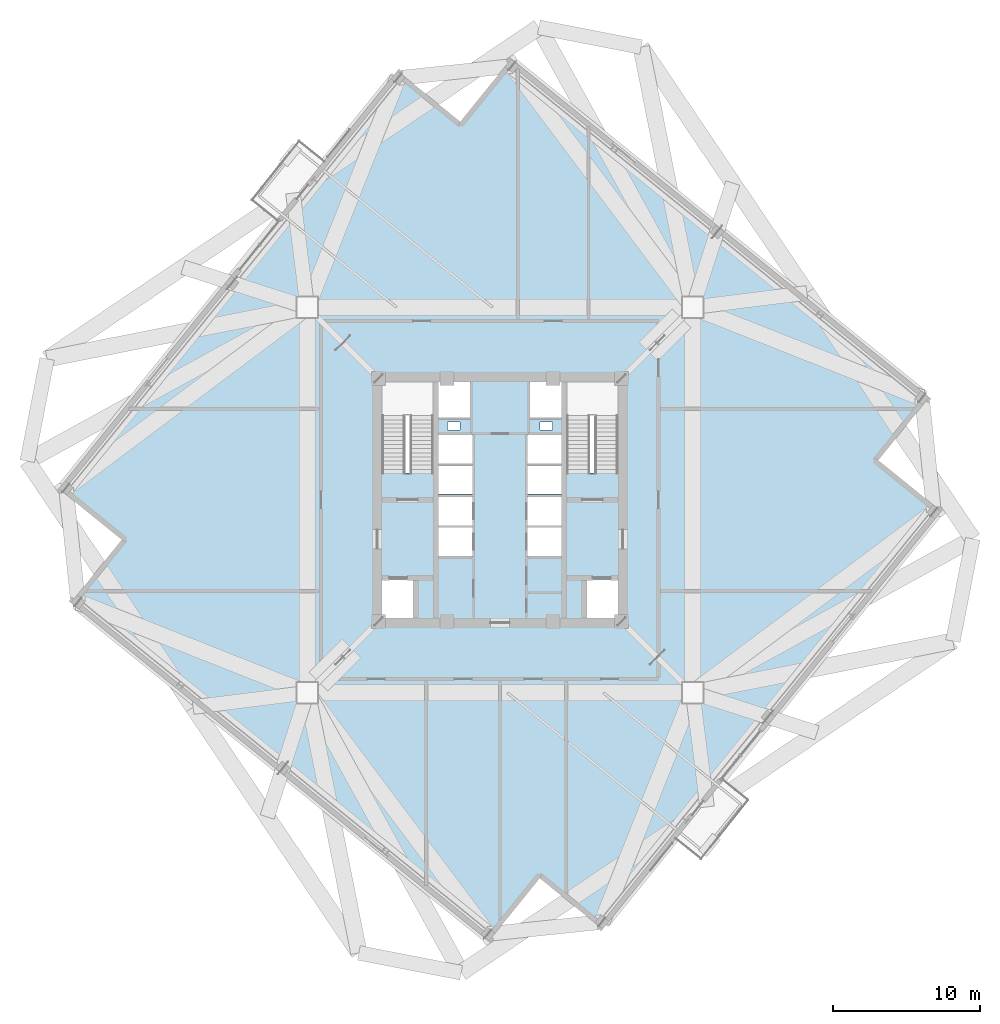
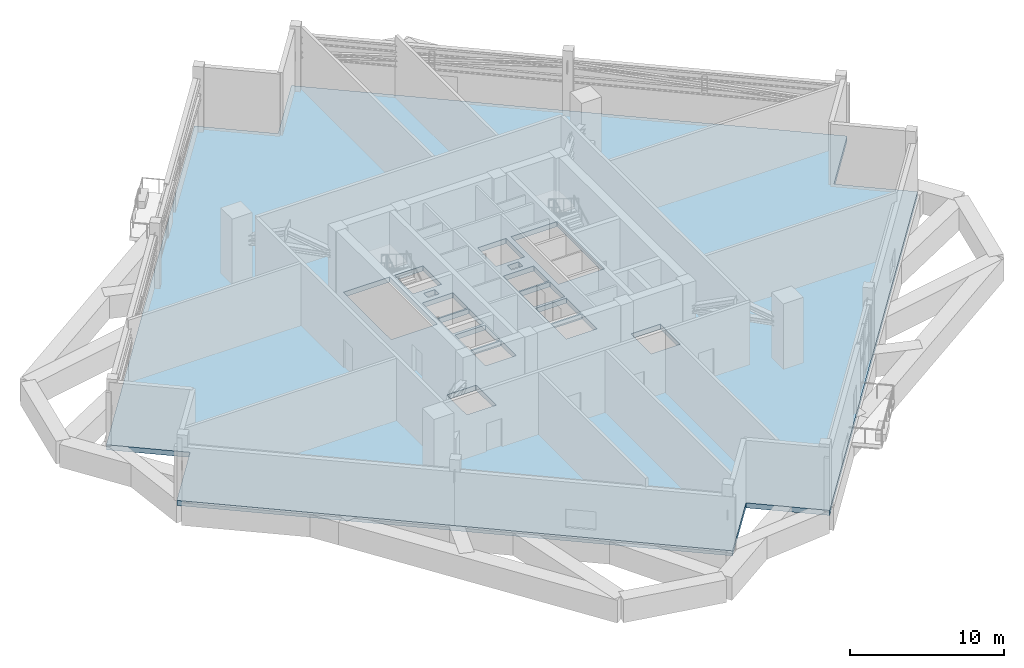
# One storey, part 13 of 22: 1 slab.
"""IFC4 building model written with IfcOpenShell, lengths in metres."""

from ifc_helpers import new_model, si_unit, direction, frame, origin, place, context, subcontext, project, spatial, polyline, outline, extrude, material, layer, layer_set, type_object, element, save


model = new_model("IFC4")

# Units and contexts
model_context = context("Model", 3, precision=1e-05, world=origin(), true_north=direction((0.0, 1.0)))
body_context = subcontext(model_context, "Body", "Model", "MODEL_VIEW")
ifc_project = project(units=[si_unit("LENGTHUNIT", "METRE"), si_unit("AREAUNIT", "SQUARE_METRE"), si_unit("VOLUMEUNIT", "CUBIC_METRE"), si_unit("PLANEANGLEUNIT", "RADIAN"), si_unit("MASSUNIT", "GRAM", prefix="KILO"), si_unit("THERMODYNAMICTEMPERATUREUNIT", "KELVIN")], contexts=[model_context])

# Site, building, storey
site_placement = place(None, origin())
site = spatial("IfcSite", under=ifc_project, at=site_placement, CompositionType="ELEMENT")
building_placement = place(site_placement, origin())
building = spatial("IfcBuilding", under=site, at=building_placement, Name="Kosmvard Interchange Tower", CompositionType="ELEMENT")
storey_placement = place(building_placement, frame((0.0, 0.0, 200.39990234375)))
storey = spatial("IfcBuildingStorey", under=building, at=storey_placement, Name="L48", CompositionType="ELEMENT", Elevation=200.39990234375)

# Slab
ifc_material = material(Name="Concrete C60/75", Category="concrete")
ifc_layer = layer(ifc_material, 0.39990234375, Name="Concrete C60/75")
ifc_layer_set = layer_set([ifc_layer], Name="Concrete C60/75")
slab_type = type_object("IfcSlabType", Name="Concourse & Transfer Structural Slab 400 C60/75", PredefinedType="FLOOR", material=ifc_layer_set)
slab_placement = place(storey_placement, frame((0.0, 0.0, -0.39990234375)))
element("IfcSlab", 1, at=slab_placement, inside=storey, type_object=slab_type, Name="L48 Structural Floor Slab", PredefinedType="FLOOR", context=body_context, shape_type="SweptSolid", body=[
    extrude(outline(polyline([(6.97216796875, -29.12939453125), (29.9423828125, -0.763427734375), (25.66796875, 2.69775390625), (29.12939453125, 6.97216796875), (0.763427734375, 29.9423828125), (-2.69775390625, 25.66796875), (-6.97216796875, 29.12939453125), (-29.9423828125, 0.763427734375), (-25.66796875, -2.69775390625), (-29.12939453125, -6.97216796875), (-0.763427734375, -29.9423828125), (2.69775390625, -25.66796875), (6.97216796875, -29.12939453125)]), holes=[polyline([(-8.0, 1.8349609375), (-4.5400390625, 1.8349609375), (-4.5400390625, 8.0), (-8.0, 8.0), (-8.0, 1.8349609375)]), polyline([(4.5400390625, 1.8349609375), (8.0, 1.8349609375), (8.0, 8.0), (4.5400390625, 8.0), (4.5400390625, 1.8349609375)]), polyline([(-8.0, -8.0), (-5.800048828125, -8.0), (-5.800048828125, -5.39990234375), (-8.0, -5.39990234375), (-8.0, -8.0)]), polyline([(5.800048828125, -8.0), (8.0, -8.0), (8.0, -5.39990234375), (5.800048828125, -5.39990234375), (5.800048828125, -8.0)]), polyline([(-4.179931640625, -3.800048828125), (-1.8798828125, -3.800048828125), (-1.8798828125, -1.860107421875), (-4.179931640625, -1.860107421875), (-4.179931640625, -3.800048828125)]), polyline([(-4.179931640625, -1.739990234375), (-1.8798828125, -1.739990234375), (-1.8798828125, 0.199951171875), (-4.179931640625, 0.199951171875), (-4.179931640625, -1.739990234375)]), polyline([(1.8798828125, -3.800048828125), (4.179931640625, -3.800048828125), (4.179931640625, -1.860107421875), (1.8798828125, -1.860107421875), (1.8798828125, -3.800048828125)]), polyline([(1.8798828125, -1.739990234375), (4.179931640625, -1.739990234375), (4.179931640625, 0.199951171875), (1.8798828125, 0.199951171875), (1.8798828125, -1.739990234375)]), polyline([(-4.179931640625, 0.39990234375), (-1.8798828125, 0.39990234375), (-1.8798828125, 2.340087890625), (-4.179931640625, 2.340087890625), (-4.179931640625, 0.39990234375)]), polyline([(-4.179931640625, 2.4599609375), (-1.8798828125, 2.4599609375), (-1.8798828125, 4.39990234375), (-4.179931640625, 4.39990234375), (-4.179931640625, 2.4599609375)]), polyline([(1.8798828125, 0.39990234375), (4.179931640625, 0.39990234375), (4.179931640625, 2.340087890625), (1.8798828125, 2.340087890625), (1.8798828125, 0.39990234375)]), polyline([(1.8798828125, 2.4599609375), (4.179931640625, 2.4599609375), (4.179931640625, 4.39990234375), (1.8798828125, 4.39990234375), (1.8798828125, 2.4599609375)]), polyline([(-4.179931640625, 5.60009765625), (-2.0400390625, 5.60009765625), (-2.0400390625, 8.0), (-4.179931640625, 8.0), (-4.179931640625, 5.60009765625)]), polyline([(2.0400390625, 5.60009765625), (4.179931640625, 5.60009765625), (4.179931640625, 8.0), (2.0400390625, 8.0), (2.0400390625, 5.60009765625)]), polyline([(-3.56494140625, 4.739990234375), (-2.715087890625, 4.739990234375), (-2.715087890625, 5.2900390625), (-3.56494140625, 5.2900390625), (-3.56494140625, 4.739990234375)]), polyline([(2.715087890625, 4.739990234375), (3.56494140625, 4.739990234375), (3.56494140625, 5.2900390625), (2.715087890625, 5.2900390625), (2.715087890625, 4.739990234375)])]), origin(), (0.0, 0.0, 1.0), 0.39990234375),
])

save(model, "model.ifc")
